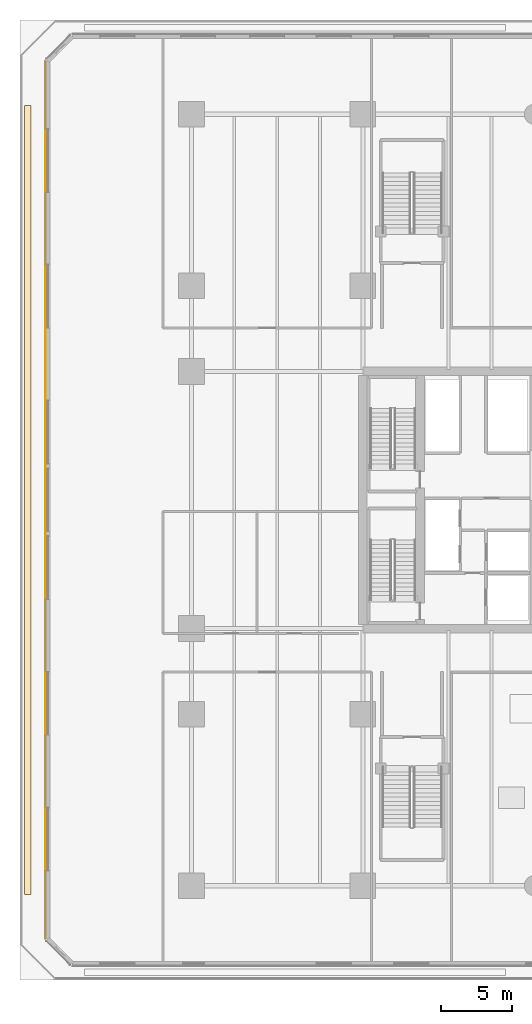
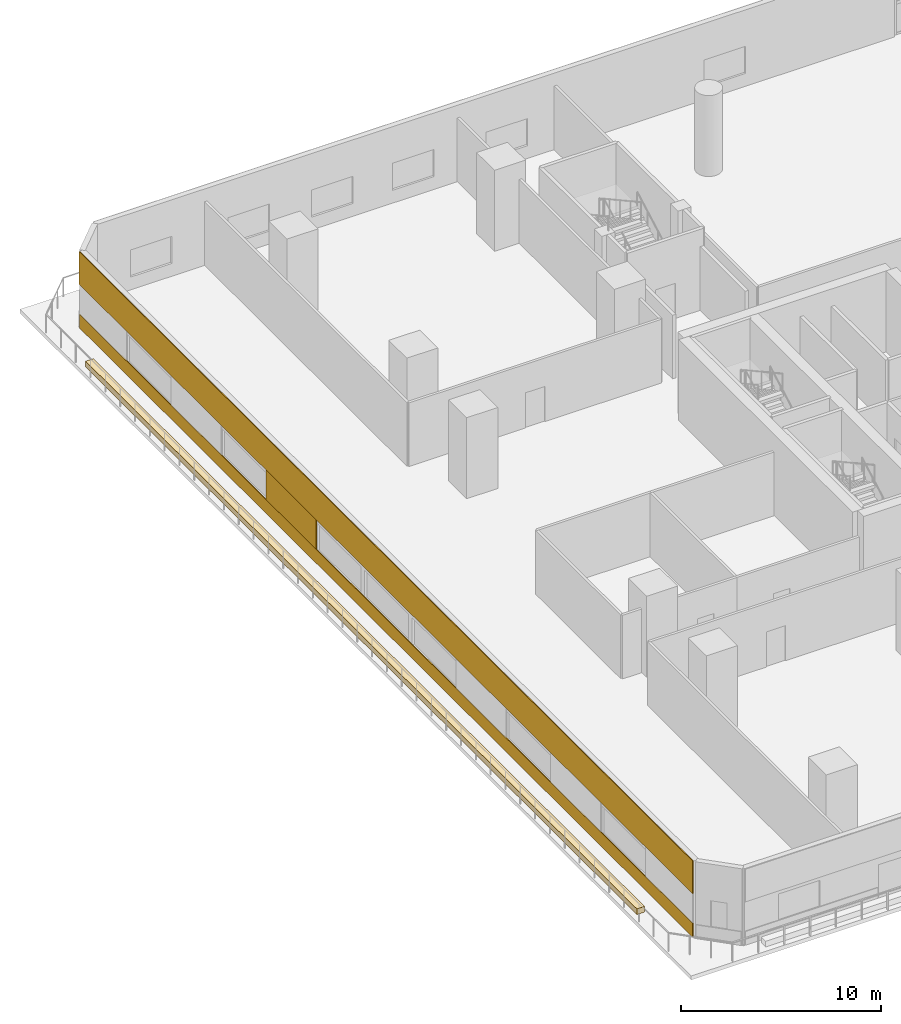
# One storey, part 18 of 24: 4 coverings.
"""IFC4 building model written with IfcOpenShell, lengths in metres."""

from ifc_helpers import new_model, si_unit, direction, frame, origin, origin_2d, place, context, subcontext, project, spatial, polyline, rectangle, outline, extrude, material, layer, layer_set, type_object, element, save


model = new_model("IFC4")

# Units and contexts
model_context = context("Model", 3, precision=1e-05, world=origin(), true_north=direction((0.0, 1.0)))
body_context = subcontext(model_context, "Body", "Model", "MODEL_VIEW")
ifc_project = project(units=[si_unit("LENGTHUNIT", "METRE"), si_unit("AREAUNIT", "SQUARE_METRE"), si_unit("VOLUMEUNIT", "CUBIC_METRE"), si_unit("PLANEANGLEUNIT", "RADIAN"), si_unit("MASSUNIT", "GRAM", prefix="KILO")], contexts=[model_context])

# Site, building, storey
site_placement = place(None, origin())
site = spatial("IfcSite", under=ifc_project, at=site_placement, CompositionType="ELEMENT")
building_placement = place(site_placement, origin())
building = spatial("IfcBuilding", under=site, at=building_placement, Name="Tanjung Sevakor Pilgrim Tower", CompositionType="ELEMENT")
storey_placement = place(building_placement, frame((0.0, 0.0, 4.949951171875)))
storey = spatial("IfcBuildingStorey", under=building, at=storey_placement, Name="L02", CompositionType="ELEMENT", Elevation=4.949951171875)

# Coverings
ifc_material_1 = material(Name="Reconstructed Limestone Cladding", Category="masonry")
ifc_layer_1 = layer(ifc_material_1, 0.044921875)
ifc_layer_set_1 = layer_set([ifc_layer_1], Name="COV-CLAD-LIMESTONE")
covering_type_1 = type_object("IfcCoveringType", Name="COV-CLAD-LIMESTONE", PredefinedType="CLADDING", material=ifc_layer_set_1)
covering_1_placement = place(storey_placement, frame((1.777587890625, 33.60009765625, 0.009765625), z_axis=(0.0, 0.0, 1.0), x_axis=(0.0, -1.0, 0.0)))
element("IfcCovering", 1, at=covering_1_placement, inside=storey, type_object=covering_type_1, Name="L02 Warm Limestone Sill Spandrel EW-L02-MAIN-7-1", PredefinedType="CLADDING", context=body_context, shape_type="SweptSolid", body=[
    extrude(rectangle(XDim=61.395751953125, YDim=0.044921875, at=origin_2d()), origin(), (0.0, 0.0, 1.0), 0.840087890625),
])
covering_2_placement = place(storey_placement, frame((1.777587890625, 33.60009765625, 2.66015625), z_axis=(0.0, 0.0, 1.0), x_axis=(0.0, -1.0, 0.0)))
element("IfcCovering", 2, at=covering_2_placement, inside=storey, type_object=covering_type_1, Name="L02 Warm Limestone Cornice Spandrel EW-L02-MAIN-7", PredefinedType="CLADDING", context=body_context, shape_type="SweptSolid", body=[
    extrude(rectangle(XDim=61.435791015625, YDim=0.044921875, at=origin_2d()), origin(), (0.0, 0.0, 1.0), 2.0),
])
covering_3_placement = place(storey_placement, frame((1.777587890625, 43.10009765625, 0.85009765625), z_axis=(0.0, 0.0, 1.0), x_axis=(0.0, -1.0, 0.0)))
element("IfcCovering", 3, at=covering_3_placement, inside=storey, type_object=covering_type_1, Name="L02 Warm Limestone Pier Panel EW-L02-MAIN-7-3", PredefinedType="CLADDING", context=body_context, shape_type="SweptSolid", body=[
    extrude(rectangle(XDim=5.0, YDim=0.044921875, at=origin_2d()), origin(), (0.0, 0.0, 1.0), 1.81005859375),
])
ifc_material_2 = material(Name="Vegetated Modular Planter Assembly", Category="organic")
ifc_layer_2 = layer(ifc_material_2, 0.35009765625)
ifc_layer_set_2 = layer_set([ifc_layer_2], Name="COV-GRN-TROUGH")
covering_type_2 = type_object("IfcCoveringType", Name="COV-GRN-TROUGH", PredefinedType="CLADDING", material=ifc_layer_set_2)
covering_4_placement = place(storey_placement, origin())
element("IfcCovering", 4, at=covering_4_placement, inside=storey, type_object=covering_type_2, Name="L02 Planted Landscape Hedge Trough PGRN-L02-W", PredefinedType="CLADDING", context=body_context, shape_type="SweptSolid", body=[
    extrude(outline(polyline([(0.77001953125, 6.0), (0.77001953125, 61.199951171875), (0.330078125, 61.199951171875), (0.330078125, 6.0), (0.77001953125, 6.0)])), origin(), (0.0, 0.0, 1.0), 0.35009765625),
])

save(model, "model.ifc")
